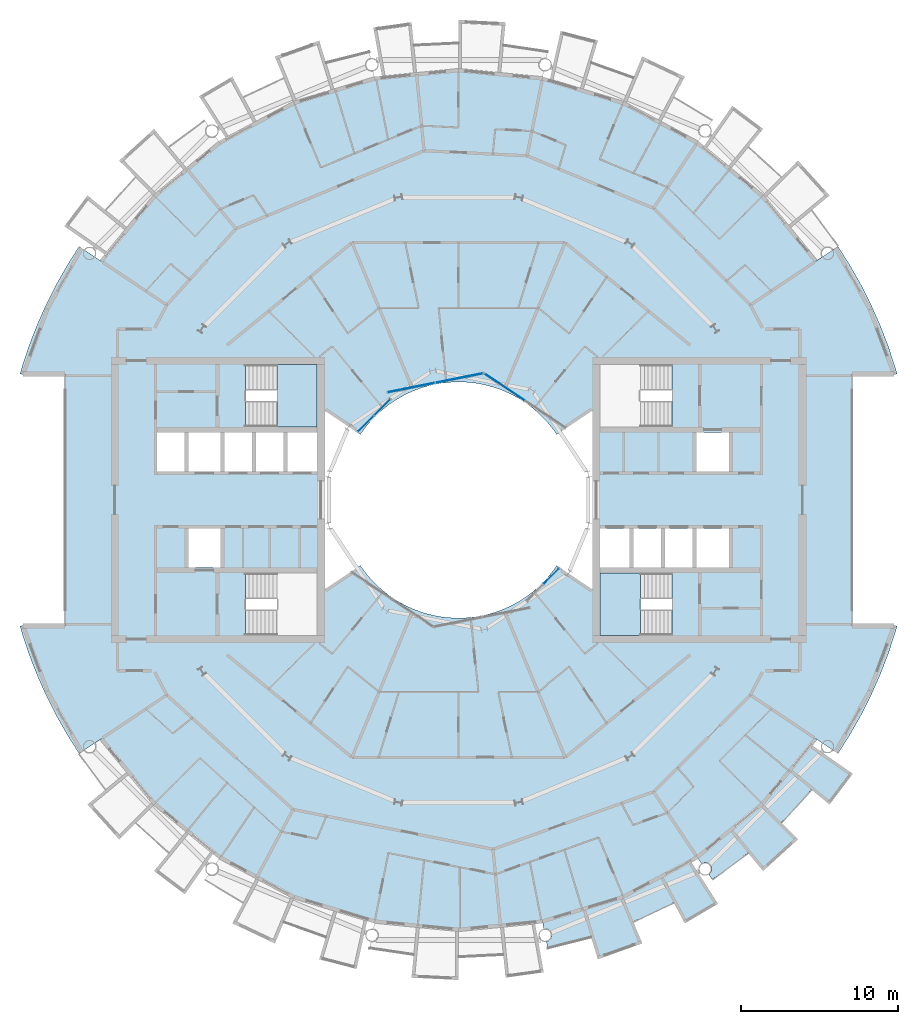
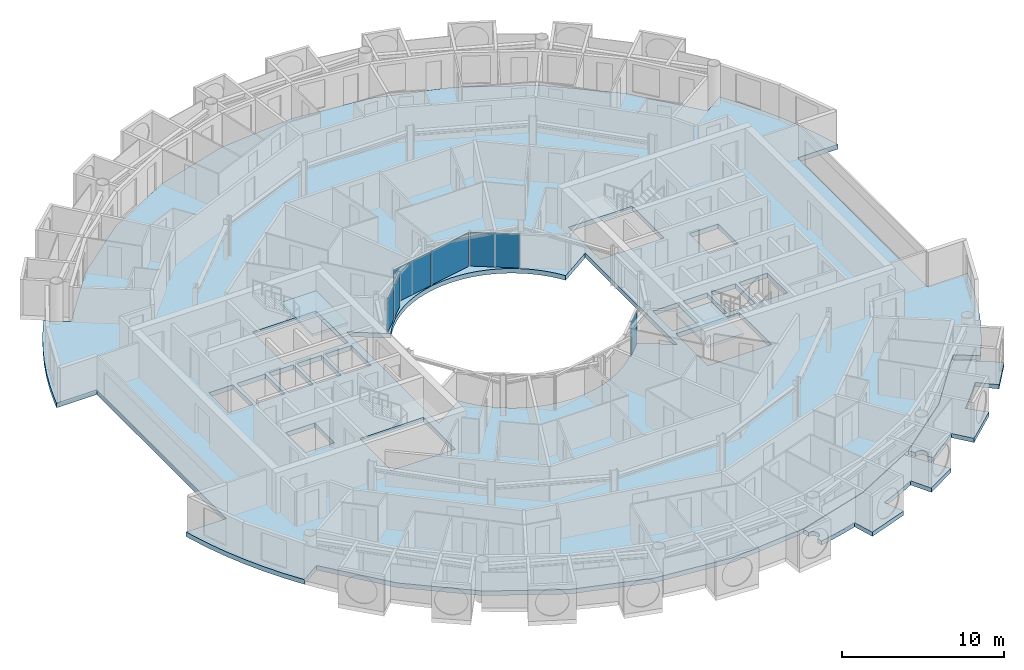
# One storey, part 11 of 26: 6 plates, 5 slabs, 6 elements without a shape of their own.
"""IFC4 building model written with IfcOpenShell, lengths in metres."""

from ifc_helpers import new_model, si_unit, direction, frame, origin, origin_2d, place, context, subcontext, project, spatial, polyline, rectangle, outline, extrude, material, layer, layer_set, type_object, element, aggregate, save


model = new_model("IFC4")

# Units and contexts
model_context = context("Model", 3, precision=1e-05, world=origin(), true_north=direction((0.0, 1.0)))
body_context = subcontext(model_context, "Body", "Model", "MODEL_VIEW")
ifc_project = project(units=[si_unit("LENGTHUNIT", "METRE"), si_unit("AREAUNIT", "SQUARE_METRE"), si_unit("VOLUMEUNIT", "CUBIC_METRE"), si_unit("PLANEANGLEUNIT", "RADIAN"), si_unit("MASSUNIT", "GRAM", prefix="KILO")], contexts=[model_context])

# Site, building, storey
site_placement = place(None, origin())
site = spatial("IfcSite", under=ifc_project, at=site_placement, CompositionType="ELEMENT")
building_placement = place(site_placement, origin())
building = spatial("IfcBuilding", under=site, at=building_placement, Name="Maasbend Ring Residences", CompositionType="ELEMENT")
storey_placement = place(building_placement, frame((0.0, 0.0, 176.85009765625)))
storey = spatial("IfcBuildingStorey", under=building, at=storey_placement, Name="L51", CompositionType="ELEMENT", Elevation=176.85009765625)

# Stair, slab
ifc_material_1 = material(Name="Concrete C40/50", Category="concrete")
stair_type = type_object("IfcStairType", Name="CORE STAIR 18 RISERS", PredefinedType="HALF_TURN_STAIR", material=ifc_material_1)
stair_1_placement = place(storey_placement, origin())
stair_1 = element("IfcStair", 1, at=stair_1_placement, inside=storey, type_object=stair_type, Name="L51 Exit stair ST-E2", PredefinedType="HALF_TURN_STAIR")
ifc_material_2 = material(Name="Concrete C40/50", Category="concrete")
ifc_layer_1 = layer(ifc_material_2, 0.199951171875)
ifc_layer_set_1 = layer_set([ifc_layer_1], Name="Concrete C40/50")
slab_type_1 = type_object("IfcSlabType", Name="CORE STAIR LANDING 200", PredefinedType="LANDING", material=ifc_layer_set_1)
slab_1_placement = place(storey_placement, frame((0.0, 0.0, 1.324951171875)))
slab_1 = element("IfcSlab", 2, at=slab_1_placement, type_object=slab_type_1, Name="ST-E2 landing 1", PredefinedType="LANDING", context=body_context, shape_type="SweptSolid", body=[
    extrude(outline(polyline([(11.550048828125, -4.64990234375), (9.0, -4.64990234375), (9.0, -8.60009765625), (11.550048828125, -8.60009765625), (11.550048828125, -4.64990234375)])), origin(), (0.0, 0.0, 1.0), 0.199951171875),
])
aggregate(stair_1, [slab_1])

stair_2_placement = place(storey_placement, origin())
stair_2 = element("IfcStair", 3, at=stair_2_placement, inside=storey, type_object=stair_type, Name="L51 Exit stair ST-W2", PredefinedType="HALF_TURN_STAIR")
slab_2_placement = place(storey_placement, frame((0.0, 0.0, 1.324951171875)))
slab_2 = element("IfcSlab", 4, at=slab_2_placement, type_object=slab_type_1, Name="ST-W2 landing 1", PredefinedType="LANDING", context=body_context, shape_type="SweptSolid", body=[
    extrude(outline(polyline([(-11.550048828125, 4.64990234375), (-9.0, 4.64990234375), (-9.0, 8.60009765625), (-11.550048828125, 8.60009765625), (-11.550048828125, 4.64990234375)])), origin(), (0.0, 0.0, 1.0), 0.199951171875),
])
aggregate(stair_2, [slab_2])

# Curtain wall, plate
ifc_material_3 = material(Name="Aluminium and clear glass", Category="aluminium")
ifc_layer_2 = layer(ifc_material_3, 0.179931640625)
ifc_layer_set_2 = layer_set([ifc_layer_2], Name="CW-W")
curtain_wall_type = type_object("IfcCurtainWallType", Name="CW-W", PredefinedType="NOTDEFINED", material=ifc_layer_set_2)
curtain_wall_1_placement = place(storey_placement, origin())
curtain_wall_1 = element("IfcCurtainWall", 5, at=curtain_wall_1_placement, inside=storey, type_object=curtain_wall_type, Name="Well curtain wall N1", PredefinedType="NOTDEFINED")
ifc_material_4 = material(Name="Glass clear laminated", Category="glass")
ifc_layer_3 = layer(ifc_material_4, 0.031982421875)
ifc_layer_set_3 = layer_set([ifc_layer_3], Name="CWP-W")
plate_type = type_object("IfcPlateType", Name="CWP-W", PredefinedType="CURTAIN_PANEL", material=ifc_layer_set_3)
plate_1_placement = place(storey_placement, frame((2.922119140625, 7.17578125, 0.0), z_axis=(0.0, 0.0, 1.0), x_axis=(-0.831469612303, 0.55557023302, 0.0)))
plate_1 = element("IfcPlate", 6, at=plate_1_placement, type_object=plate_type, Name="Glass panel well face", PredefinedType="CURTAIN_PANEL", context=body_context, shape_type="SweptSolid", body=[
    extrude(rectangle(XDim=3.053955078125, YDim=0.031982421875, at=origin_2d()), origin(), (0.0, 0.0, 1.0), 2.530029296875),
])
aggregate(curtain_wall_1, [plate_1])

# Curtain wall, plates
curtain_wall_2_placement = place(storey_placement, origin())
curtain_wall_2 = element("IfcCurtainWall", 7, at=curtain_wall_2_placement, inside=storey, type_object=curtain_wall_type, Name="Well curtain wall N2", PredefinedType="NOTDEFINED")
plate_2_placement = place(storey_placement, frame((0.04638671875, 7.747802734375, 0.0), z_axis=(0.0, 0.0, 1.0), x_axis=(-0.980785280403, -0.195090322016, 0.0)))
plate_2 = element("IfcPlate", 8, at=plate_2_placement, type_object=plate_type, Name="Glass panel well face", PredefinedType="CURTAIN_PANEL", context=body_context, shape_type="SweptSolid", body=[
    extrude(rectangle(XDim=3.053955078125, YDim=0.031982421875, at=origin_2d()), origin(), (0.0, 0.0, 1.0), 2.530029296875),
])
plate_3_placement = place(storey_placement, frame((-3.0078125, 7.140380859375, 0.0), z_axis=(0.0, 0.0, 1.0), x_axis=(-0.980785280403, -0.195090322016, 0.0)))
plate_3 = element("IfcPlate", 9, at=plate_3_placement, type_object=plate_type, Name="Glass panel well face", PredefinedType="CURTAIN_PANEL", context=body_context, shape_type="SweptSolid", body=[
    extrude(rectangle(XDim=3.053955078125, YDim=0.031982421875, at=origin_2d()), origin(), (0.0, 0.0, 1.0), 2.530029296875),
])
aggregate(curtain_wall_2, [plate_2, plate_3])

curtain_wall_3_placement = place(storey_placement, origin())
curtain_wall_3 = element("IfcCurtainWall", 10, at=curtain_wall_3_placement, inside=storey, type_object=curtain_wall_type, Name="Well curtain wall N3", PredefinedType="NOTDEFINED")
plate_4_placement = place(storey_placement, frame((-4.84375, 5.89013671875, 0.0), z_axis=(0.0, 0.0, 1.0), x_axis=(-0.707106781187, -0.707106781187, 0.0)))
plate_4 = element("IfcPlate", 11, at=plate_4_placement, type_object=plate_type, Name="Glass panel well face", PredefinedType="CURTAIN_PANEL", context=body_context, shape_type="SweptSolid", body=[
    extrude(rectangle(XDim=1.419677734375, YDim=0.031982421875, at=origin_2d()), origin(), (0.0, 0.0, 1.0), 2.530029296875),
])
plate_5_placement = place(storey_placement, frame((-5.89013671875, 4.84375, 0.0), z_axis=(0.0, 0.0, 1.0), x_axis=(-0.707106781187, -0.707106781187, 0.0)))
plate_5 = element("IfcPlate", 12, at=plate_5_placement, type_object=plate_type, Name="Glass panel well face", PredefinedType="CURTAIN_PANEL", context=body_context, shape_type="SweptSolid", body=[
    extrude(rectangle(XDim=1.419677734375, YDim=0.031982421875, at=origin_2d()), origin(), (0.0, 0.0, 1.0), 2.530029296875),
])
aggregate(curtain_wall_3, [plate_4, plate_5])

# Curtain wall, plate
curtain_wall_4_placement = place(storey_placement, origin())
curtain_wall_4 = element("IfcCurtainWall", 13, at=curtain_wall_4_placement, inside=storey, type_object=curtain_wall_type, Name="Well curtain wall S3", PredefinedType="NOTDEFINED")
plate_6_placement = place(storey_placement, frame((5.89013671875, -4.84375, 0.0), z_axis=(0.0, 0.0, 1.0), x_axis=(0.707106781187, 0.707106781187, 0.0)))
plate_6 = element("IfcPlate", 14, at=plate_6_placement, type_object=plate_type, Name="Glass panel well face", PredefinedType="CURTAIN_PANEL", context=body_context, shape_type="SweptSolid", body=[
    extrude(rectangle(XDim=1.419677734375, YDim=0.031982421875, at=origin_2d()), origin(), (0.0, 0.0, 1.0), 2.530029296875),
])
aggregate(curtain_wall_4, [plate_6])

# Slabs
ifc_material_5 = material(Name="Concrete C40/50", Category="concrete")
ifc_layer_4 = layer(ifc_material_5, 0.35009765625)
ifc_layer_set_4 = layer_set([ifc_layer_4], Name="Concrete C40/50")
slab_type_2 = type_object("IfcSlabType", Name="Post-tensioned flat plate 350", PredefinedType="FLOOR", material=ifc_layer_set_4)
slab_3_placement = place(storey_placement, frame((0.0, 0.0, -0.35009765625)))
element("IfcSlab", 15, at=slab_3_placement, inside=storey, type_object=slab_type_2, Name="Floor slab L51", PredefinedType="FLOOR", context=body_context, shape_type="SweptSolid", body=[
    extrude(outline(polyline([(24.8740234375, -14.908935546875), (25.57568359375, -13.67041015625), (26.2158203125, -12.399169921875), (26.79248046875, -11.097900390625), (27.3046875, -9.769775390625), (27.751220703125, -8.418212890625), (27.866943359375, -8.0), (25.0, -8.0), (25.0, 8.0), (27.866943359375, 8.0), (27.751220703125, 8.418212890625), (27.3046875, 9.769775390625), (26.79248046875, 11.097900390625), (26.2158203125, 12.399169921875), (25.57568359375, 13.67041015625), (24.8740234375, 14.908935546875), (24.112548828125, 16.111572265625), (22.69921875, 15.1669921875), (19.303955078125, 19.303955078125), (15.1669921875, 22.69921875), (10.447265625, 25.221923828125), (5.325927734375, 26.775390625), (0.0, 27.300048828125), (-5.325927734375, 26.775390625), (-10.447265625, 25.221923828125), (-15.1669921875, 22.69921875), (-19.303955078125, 19.303955078125), (-22.69921875, 15.1669921875), (-24.112548828125, 16.111572265625), (-24.8740234375, 14.908935546875), (-25.57568359375, 13.67041015625), (-26.2158203125, 12.399169921875), (-26.79248046875, 11.097900390625), (-27.3046875, 9.769775390625), (-27.751220703125, 8.418212890625), (-27.866943359375, 8.0), (-25.0, 8.0), (-25.0, -8.0), (-27.866943359375, -8.0), (-27.751220703125, -8.418212890625), (-27.3046875, -9.769775390625), (-26.79248046875, -11.097900390625), (-26.2158203125, -12.399169921875), (-25.57568359375, -13.67041015625), (-24.8740234375, -14.908935546875), (-24.112548828125, -16.111572265625), (-22.69921875, -15.1669921875), (-19.303955078125, -19.303955078125), (-15.1669921875, -22.69921875), (-10.447265625, -25.221923828125), (-5.325927734375, -26.775390625), (0.0, -27.300048828125), (5.325927734375, -26.775390625), (10.447265625, -25.221923828125), (15.1669921875, -22.69921875), (19.303955078125, -19.303955078125), (22.69921875, -15.1669921875), (24.112548828125, -16.111572265625), (24.8740234375, -14.908935546875)]), holes=[polyline([(15.125, 1.824951171875), (15.125, 4.27490234375), (17.175048828125, 4.27490234375), (17.175048828125, 1.824951171875), (15.125, 1.824951171875)]), polyline([(15.125, -4.27490234375), (15.125, -1.824951171875), (17.175048828125, -1.824951171875), (17.175048828125, -4.27490234375), (15.125, -4.27490234375)]), polyline([(13.125, -4.27490234375), (13.125, -1.824951171875), (14.875, -1.824951171875), (14.875, -4.27490234375), (13.125, -4.27490234375)]), polyline([(13.550048828125, 8.60009765625), (13.550048828125, 4.64990234375), (9.0, 4.64990234375), (9.0, 8.60009765625), (13.550048828125, 8.60009765625)]), polyline([(13.550048828125, -4.64990234375), (13.550048828125, -8.60009765625), (9.0, -8.60009765625), (9.0, -4.64990234375), (13.550048828125, -4.64990234375)]), polyline([(11.125, -4.27490234375), (11.125, -1.824951171875), (12.875, -1.824951171875), (12.875, -4.27490234375), (11.125, -4.27490234375)]), polyline([(9.0, -4.27490234375), (9.0, -1.824951171875), (10.875, -1.824951171875), (10.875, -4.27490234375), (9.0, -4.27490234375)]), polyline([(6.024169921875, 4.4677734375), (6.236083984375, 4.166748046875), (8.5, 5.679443359375), (8.5, -5.679443359375), (6.236083984375, -4.166748046875), (6.024169921875, -4.4677734375), (5.797607421875, -4.7578125), (5.55712890625, -5.03662109375), (5.30322265625, -5.30322265625), (5.03662109375, -5.55712890625), (4.7578125, -5.797607421875), (4.4677734375, -6.024169921875), (4.166748046875, -6.236083984375), (3.855712890625, -6.43310546875), (3.535400390625, -6.614501953125), (3.206787109375, -6.77978515625), (2.8701171875, -6.92919921875), (2.526611328125, -7.0615234375), (2.177001953125, -7.177001953125), (1.822509765625, -7.275146484375), (1.463134765625, -7.35595703125), (1.1005859375, -7.418701171875), (0.735107421875, -7.4638671875), (0.367919921875, -7.490966796875), (0.0, -7.5), (-0.367919921875, -7.490966796875), (-0.735107421875, -7.4638671875), (-1.1005859375, -7.418701171875), (-1.463134765625, -7.35595703125), (-1.822509765625, -7.275146484375), (-2.177001953125, -7.177001953125), (-2.526611328125, -7.0615234375), (-2.8701171875, -6.92919921875), (-3.206787109375, -6.77978515625), (-3.535400390625, -6.614501953125), (-3.855712890625, -6.43310546875), (-4.166748046875, -6.236083984375), (-4.4677734375, -6.024169921875), (-4.7578125, -5.797607421875), (-5.03662109375, -5.55712890625), (-5.30322265625, -5.30322265625), (-5.55712890625, -5.03662109375), (-5.797607421875, -4.7578125), (-6.024169921875, -4.4677734375), (-6.236083984375, -4.166748046875), (-8.5, -5.679443359375), (-8.5, 5.679443359375), (-6.236083984375, 4.166748046875), (-6.024169921875, 4.4677734375), (-5.797607421875, 4.7578125), (-5.55712890625, 5.03662109375), (-5.30322265625, 5.30322265625), (-5.03662109375, 5.55712890625), (-4.7578125, 5.797607421875), (-4.4677734375, 6.024169921875), (-4.166748046875, 6.236083984375), (-3.855712890625, 6.43310546875), (-3.535400390625, 6.614501953125), (-3.206787109375, 6.77978515625), (-2.8701171875, 6.92919921875), (-2.526611328125, 7.0615234375), (-2.177001953125, 7.177001953125), (-1.822509765625, 7.275146484375), (-1.463134765625, 7.35595703125), (-1.1005859375, 7.418701171875), (-0.735107421875, 7.4638671875), (-0.367919921875, 7.490966796875), (0.0, 7.5), (0.367919921875, 7.490966796875), (0.735107421875, 7.4638671875), (1.1005859375, 7.418701171875), (1.463134765625, 7.35595703125), (1.822509765625, 7.275146484375), (2.177001953125, 7.177001953125), (2.526611328125, 7.0615234375), (2.8701171875, 6.92919921875), (3.206787109375, 6.77978515625), (3.535400390625, 6.614501953125), (3.855712890625, 6.43310546875), (4.166748046875, 6.236083984375), (4.4677734375, 6.024169921875), (4.7578125, 5.797607421875), (5.03662109375, 5.55712890625), (5.30322265625, 5.30322265625), (5.55712890625, 5.03662109375), (5.797607421875, 4.7578125), (6.024169921875, 4.4677734375)]), polyline([(-13.550048828125, 4.64990234375), (-13.550048828125, 8.60009765625), (-9.0, 8.60009765625), (-9.0, 4.64990234375), (-13.550048828125, 4.64990234375)]), polyline([(-9.0, -8.60009765625), (-13.550048828125, -8.60009765625), (-13.550048828125, -4.64990234375), (-9.0, -4.64990234375), (-9.0, -8.60009765625)]), polyline([(-9.0, 4.27490234375), (-9.0, 1.824951171875), (-10.875, 1.824951171875), (-10.875, 4.27490234375), (-9.0, 4.27490234375)]), polyline([(-11.125, 4.27490234375), (-11.125, 1.824951171875), (-12.875, 1.824951171875), (-12.875, 4.27490234375), (-11.125, 4.27490234375)]), polyline([(-13.125, 4.27490234375), (-13.125, 1.824951171875), (-14.875, 1.824951171875), (-14.875, 4.27490234375), (-13.125, 4.27490234375)]), polyline([(-15.125, 4.27490234375), (-15.125, 1.824951171875), (-17.175048828125, 1.824951171875), (-17.175048828125, 4.27490234375), (-15.125, 4.27490234375)]), polyline([(-15.125, -1.824951171875), (-15.125, -4.27490234375), (-17.175048828125, -4.27490234375), (-17.175048828125, -1.824951171875), (-15.125, -1.824951171875)]), polyline([(-17.425048828125, 4.27490234375), (-17.425048828125, 1.824951171875), (-19.14990234375, 1.824951171875), (-19.14990234375, 4.27490234375), (-17.425048828125, 4.27490234375)])]), origin(), (0.0, 0.0, 1.0), 0.35009765625),
])
ifc_material_6 = material(Name="Concrete C40/50", Category="concrete")
ifc_layer_5 = layer(ifc_material_6, 0.199951171875)
ifc_layer_set_5 = layer_set([ifc_layer_5], Name="Concrete C40/50")
slab_type_3 = type_object("IfcSlabType", Name="SL-LOGGIA", PredefinedType="FLOOR", material=ifc_layer_set_5)
slab_4_placement = place(storey_placement, frame((0.0, 0.0, -0.35009765625)))
element("IfcSlab", 16, at=slab_4_placement, inside=storey, type_object=slab_type_3, Name="Loggia floor 2", PredefinedType="FLOOR", context=body_context, shape_type="SweptSolid", body=[
    extrude(outline(polyline([(10.447021484375, -25.221923828125), (12.806884765625, -23.9609375), (14.73291015625, -22.930908203125), (14.73291015625, -22.930908203125), (14.73291015625, -22.930908203125), (16.487060546875, -25.659912109375), (16.487060546875, -25.659912109375), (16.487060546875, -25.659912109375), (14.3779296875, -26.89892578125), (14.3779296875, -26.89892578125), (14.3779296875, -26.89892578125), (13.6708984375, -25.575927734375), (13.6708984375, -25.575927734375), (13.6708984375, -25.575927734375), (13.6708984375, -25.575927734375), (13.6708984375, -25.575927734375), (13.6708984375, -25.575927734375), (13.6708984375, -25.575927734375), (13.669921875, -25.575927734375), (13.669921875, -25.575927734375), (13.669921875, -25.575927734375), (13.669921875, -25.575927734375), (13.669921875, -25.575927734375), (13.669921875, -25.575927734375), (13.669921875, -25.575927734375), (13.669921875, -25.575927734375), (13.669921875, -25.575927734375), (13.669921875, -25.575927734375), (12.825927734375, -26.009033203125), (12.825927734375, -26.009033203125), (11.968994140625, -26.4150390625), (11.968994140625, -26.4150390625), (11.097900390625, -26.7919921875), (11.097900390625, -26.7919921875), (11.097900390625, -26.7919921875), (11.097900390625, -26.7919921875), (11.097900390625, -26.7919921875), (11.097900390625, -26.7919921875), (11.097900390625, -26.7919921875), (11.097900390625, -26.79296875), (11.097900390625, -26.79296875), (11.097900390625, -26.79296875), (11.097900390625, -26.79296875), (11.097900390625, -26.79296875), (11.097900390625, -26.79296875), (11.097900390625, -26.79296875), (11.097900390625, -26.79296875), (11.097900390625, -26.79296875), (11.097900390625, -26.79296875), (11.672119140625, -28.177978515625), (11.672119140625, -28.177978515625), (11.672119140625, -28.177978515625), (8.85400390625, -29.18701171875), (8.85400390625, -29.18701171875), (8.85400390625, -29.18701171875), (8.41796875, -27.751953125), (8.41796875, -27.751953125), (8.41796875, -27.751953125), (8.41796875, -27.751953125), (8.41796875, -27.751953125), (8.41796875, -27.751953125), (8.41796875, -27.751953125), (8.41796875, -27.7509765625), (8.41796875, -27.7509765625), (8.41796875, -27.7509765625), (8.41796875, -27.7509765625), (8.41796875, -27.7509765625), (8.41796875, -27.7509765625), (8.41796875, -27.7509765625), (8.41796875, -27.7509765625), (8.41796875, -27.7509765625), (8.41796875, -27.7509765625), (7.506103515625, -28.011962890625), (7.506103515625, -28.011962890625), (6.5849609375, -28.241943359375), (6.5849609375, -28.241943359375), (5.657958984375, -28.443115234375), (5.657958984375, -28.443115234375), (5.657958984375, -28.443115234375), (5.5810546875, -28.056884765625), (5.591064453125, -28.054931640625), (5.60009765625, -28.052001953125), (5.610107421875, -28.050048828125), (5.6201171875, -28.047119140625), (5.62890625, -28.0439453125), (5.637939453125, -28.041015625), (5.64794921875, -28.037109375), (5.656982421875, -28.033935546875), (5.666015625, -28.030029296875), (5.675048828125, -28.02587890625), (5.68408203125, -28.02099609375), (5.693115234375, -28.01708984375), (5.701904296875, -28.011962890625), (5.7099609375, -28.007080078125), (5.718994140625, -28.001953125), (5.72705078125, -27.99609375), (5.736083984375, -27.989990234375), (5.743896484375, -27.985107421875), (5.751953125, -27.97900390625), (5.759033203125, -27.971923828125), (5.76708984375, -27.966064453125), (5.77392578125, -27.958984375), (5.781982421875, -27.952880859375), (5.7890625, -27.946044921875), (5.7958984375, -27.93798828125), (5.802978515625, -27.930908203125), (5.80908203125, -27.924072265625), (5.81591796875, -27.916015625), (5.822021484375, -27.907958984375), (5.827880859375, -27.89990234375), (5.833984375, -27.89208984375), (5.839111328125, -27.884033203125), (5.844970703125, -27.8759765625), (5.85009765625, -27.866943359375), (5.85498046875, -27.85791015625), (5.860107421875, -27.85009765625), (5.864990234375, -27.841064453125), (5.868896484375, -27.83203125), (5.873046875, -27.822998046875), (5.876953125, -27.81396484375), (5.881103515625, -27.803955078125), (5.884033203125, -27.794921875), (5.886962890625, -27.785888671875), (5.889892578125, -27.77587890625), (5.89306640625, -27.76708984375), (5.89599609375, -27.757080078125), (5.89794921875, -27.7470703125), (5.89990234375, -27.737060546875), (5.902099609375, -27.72802734375), (5.904052734375, -27.718017578125), (5.905029296875, -27.7080078125), (5.906005859375, -27.697998046875), (5.906982421875, -27.68798828125), (5.907958984375, -27.677978515625), (5.907958984375, -27.66796875), (5.907958984375, -27.657958984375), (5.907958984375, -27.64794921875), (5.907958984375, -27.637939453125), (5.906982421875, -27.6279296875), (5.906005859375, -27.617919921875), (5.905029296875, -27.60791015625), (5.904052734375, -27.597900390625), (5.902099609375, -27.589111328125), (5.89990234375, -27.5791015625), (5.89794921875, -27.569091796875), (5.89599609375, -27.55908203125), (5.89306640625, -27.550048828125), (5.889892578125, -27.5400390625), (5.886962890625, -27.531005859375), (5.884033203125, -27.52099609375), (5.881103515625, -27.511962890625), (5.876953125, -27.5029296875), (5.873046875, -27.492919921875), (5.868896484375, -27.48388671875), (5.864990234375, -27.47509765625), (5.860107421875, -27.466064453125), (5.85498046875, -27.4580078125), (5.85009765625, -27.448974609375), (5.844970703125, -27.44091796875), (5.839111328125, -27.431884765625), (5.833984375, -27.424072265625), (5.827880859375, -27.416015625), (5.822021484375, -27.407958984375), (5.81591796875, -27.39990234375), (5.80908203125, -27.39306640625), (5.802978515625, -27.385009765625), (5.7958984375, -27.3779296875), (5.7890625, -27.37109375), (5.781982421875, -27.364013671875), (5.77392578125, -27.35693359375), (5.76708984375, -27.35009765625), (5.759033203125, -27.343994140625), (5.751953125, -27.337890625), (5.743896484375, -27.33203125), (5.736083984375, -27.325927734375), (5.72705078125, -27.320068359375), (5.718994140625, -27.31494140625), (5.7099609375, -27.30908203125), (5.701904296875, -27.303955078125), (5.693115234375, -27.300048828125), (5.68408203125, -27.294921875), (5.675048828125, -27.291015625), (5.666015625, -27.285888671875), (5.656982421875, -27.282958984375), (5.64794921875, -27.279052734375), (5.637939453125, -27.27490234375), (5.62890625, -27.27197265625), (5.6201171875, -27.26904296875), (5.610107421875, -27.26611328125), (5.60009765625, -27.263916015625), (5.591064453125, -27.260986328125), (5.5810546875, -27.259033203125), (5.571044921875, -27.258056640625), (5.56103515625, -27.256103515625), (5.551025390625, -27.2548828125), (5.541015625, -27.25390625), (5.531005859375, -27.2529296875), (5.52099609375, -27.251953125), (5.510986328125, -27.251953125), (5.501953125, -27.251953125), (5.491943359375, -27.251953125), (5.48193359375, -27.251953125), (5.471923828125, -27.2529296875), (5.4619140625, -27.25390625), (5.451904296875, -27.2548828125), (5.44189453125, -27.256103515625), (5.431884765625, -27.258056640625), (5.422119140625, -27.259033203125), (5.325927734375, -26.77490234375), (5.325927734375, -26.77490234375), (5.325927734375, -26.77490234375), (7.886962890625, -25.9990234375), (10.447021484375, -25.221923828125), (10.447021484375, -25.221923828125), (10.447021484375, -25.221923828125)])), origin(), (0.0, 0.0, 1.0), 0.320068359375),
])
slab_5_placement = place(storey_placement, frame((0.0, 0.0, -0.35009765625)))
element("IfcSlab", 17, at=slab_5_placement, inside=storey, type_object=slab_type_3, Name="Loggia floor 5", PredefinedType="FLOOR", context=body_context, shape_type="SweptSolid", body=[
    extrude(outline(polyline([(19.303955078125, -19.303955078125), (21.001953125, -17.236083984375), (22.386962890625, -15.547119140625), (22.386962890625, -15.547119140625), (22.386962890625, -15.547119140625), (25.051025390625, -17.39794921875), (25.051025390625, -17.39794921875), (25.051025390625, -17.39794921875), (23.576904296875, -19.34912109375), (23.576904296875, -19.34912109375), (23.576904296875, -19.34912109375), (22.41796875, -18.39794921875), (22.41796875, -18.39794921875), (22.41796875, -18.39794921875), (22.41796875, -18.39794921875), (22.41796875, -18.39794921875), (22.4169921875, -18.39794921875), (22.4169921875, -18.39794921875), (22.4169921875, -18.39794921875), (22.4169921875, -18.39794921875), (22.4169921875, -18.39794921875), (22.4169921875, -18.39794921875), (22.4169921875, -18.39794921875), (22.4169921875, -18.39794921875), (22.4169921875, -18.39794921875), (22.4169921875, -18.39794921875), (22.4169921875, -18.39794921875), (22.4169921875, -18.39794921875), (21.802978515625, -19.12109375), (21.802978515625, -19.12109375), (21.166015625, -19.823974609375), (21.166015625, -19.823974609375), (20.506103515625, -20.506103515625), (20.506103515625, -20.506103515625), (20.506103515625, -20.506103515625), (20.506103515625, -20.506103515625), (20.506103515625, -20.506103515625), (20.506103515625, -20.506103515625), (20.506103515625, -20.506103515625), (20.506103515625, -20.506103515625), (20.506103515625, -20.506103515625), (20.506103515625, -20.506103515625), (20.506103515625, -20.506103515625), (20.506103515625, -20.506103515625), (20.506103515625, -20.506103515625), (20.506103515625, -20.506103515625), (20.506103515625, -20.506103515625), (20.506103515625, -20.506103515625), (20.506103515625, -20.506103515625), (21.56689453125, -21.56689453125), (21.56689453125, -21.56689453125), (21.56689453125, -21.56689453125), (19.34912109375, -23.576904296875), (19.34912109375, -23.576904296875), (19.34912109375, -23.576904296875), (18.39794921875, -22.41796875), (18.39794921875, -22.41796875), (18.39794921875, -22.41796875), (18.39794921875, -22.41796875), (18.39794921875, -22.41796875), (18.39794921875, -22.41796875), (18.39697265625, -22.41796875), (18.39697265625, -22.41796875), (18.39697265625, -22.41796875), (18.39697265625, -22.41796875), (18.39697265625, -22.41796875), (18.39697265625, -22.41796875), (18.39697265625, -22.41796875), (18.39697265625, -22.41796875), (18.39697265625, -22.41796875), (18.39697265625, -22.41796875), (18.39697265625, -22.41796875), (17.654052734375, -23.007080078125), (17.654052734375, -23.007080078125), (16.89208984375, -23.572998046875), (16.89208984375, -23.572998046875), (16.112060546875, -24.113037109375), (16.112060546875, -24.113037109375), (16.112060546875, -24.113037109375), (15.89306640625, -23.784912109375), (15.89306640625, -23.784912109375), (15.90087890625, -23.780029296875), (15.908935546875, -23.77392578125), (15.9169921875, -23.76806640625), (15.925048828125, -23.761962890625), (15.93310546875, -23.7548828125), (15.93994140625, -23.7490234375), (15.947021484375, -23.741943359375), (15.955078125, -23.735107421875), (15.9619140625, -23.72802734375), (15.968017578125, -23.719970703125), (15.97509765625, -23.712890625), (15.98095703125, -23.705078125), (15.988037109375, -23.697021484375), (15.993896484375, -23.68994140625), (15.9990234375, -23.680908203125), (16.0048828125, -23.673095703125), (16.010986328125, -23.6650390625), (16.01611328125, -23.656005859375), (16.02099609375, -23.64794921875), (16.02587890625, -23.638916015625), (16.030029296875, -23.6298828125), (16.034912109375, -23.62109375), (16.0390625, -23.612060546875), (16.04296875, -23.60302734375), (16.0458984375, -23.593994140625), (16.050048828125, -23.583984375), (16.052978515625, -23.574951171875), (16.055908203125, -23.56494140625), (16.05908203125, -23.555908203125), (16.06103515625, -23.5458984375), (16.06396484375, -23.535888671875), (16.06591796875, -23.527099609375), (16.068115234375, -23.51708984375), (16.069091796875, -23.507080078125), (16.071044921875, -23.4970703125), (16.072021484375, -23.487060546875), (16.072021484375, -23.47705078125), (16.072998046875, -23.467041015625), (16.072998046875, -23.45703125), (16.073974609375, -23.447021484375), (16.072998046875, -23.43701171875), (16.072998046875, -23.427001953125), (16.072021484375, -23.4169921875), (16.072021484375, -23.407958984375), (16.071044921875, -23.39794921875), (16.069091796875, -23.387939453125), (16.068115234375, -23.3779296875), (16.06591796875, -23.367919921875), (16.06396484375, -23.35791015625), (16.06103515625, -23.34912109375), (16.05908203125, -23.339111328125), (16.055908203125, -23.3291015625), (16.052978515625, -23.320068359375), (16.050048828125, -23.31005859375), (16.0458984375, -23.301025390625), (16.04296875, -23.2919921875), (16.0390625, -23.282958984375), (16.034912109375, -23.27392578125), (16.030029296875, -23.264892578125), (16.02587890625, -23.256103515625), (16.02099609375, -23.2470703125), (16.01611328125, -23.238037109375), (16.010986328125, -23.22998046875), (16.0048828125, -23.221923828125), (15.9990234375, -23.212890625), (15.993896484375, -23.205078125), (15.988037109375, -23.197021484375), (15.98095703125, -23.18994140625), (15.97509765625, -23.181884765625), (15.968017578125, -23.174072265625), (15.9619140625, -23.1669921875), (15.955078125, -23.159912109375), (15.947021484375, -23.153076171875), (15.93994140625, -23.14599609375), (15.93310546875, -23.139892578125), (15.925048828125, -23.133056640625), (15.9169921875, -23.126953125), (15.908935546875, -23.12109375), (15.90087890625, -23.114990234375), (15.89306640625, -23.10888671875), (15.885009765625, -23.10400390625), (15.8759765625, -23.09912109375), (15.866943359375, -23.093994140625), (15.85888671875, -23.089111328125), (15.85009765625, -23.083984375), (15.841064453125, -23.080078125), (15.83203125, -23.075927734375), (15.822998046875, -23.072021484375), (15.81298828125, -23.068115234375), (15.803955078125, -23.06494140625), (15.794921875, -23.06103515625), (15.784912109375, -23.05810546875), (15.77587890625, -23.055908203125), (15.76611328125, -23.052978515625), (15.756103515625, -23.051025390625), (15.74609375, -23.049072265625), (15.737060546875, -23.047119140625), (15.72705078125, -23.044921875), (15.717041015625, -23.0439453125), (15.70703125, -23.04296875), (15.697021484375, -23.0419921875), (15.68701171875, -23.041015625), (15.677001953125, -23.041015625), (15.6669921875, -23.041015625), (15.656982421875, -23.041015625), (15.64697265625, -23.041015625), (15.636962890625, -23.0419921875), (15.626953125, -23.04296875), (15.616943359375, -23.0439453125), (15.60693359375, -23.044921875), (15.597900390625, -23.047119140625), (15.587890625, -23.049072265625), (15.577880859375, -23.051025390625), (15.568115234375, -23.052978515625), (15.55908203125, -23.055908203125), (15.549072265625, -23.05810546875), (15.5400390625, -23.06103515625), (15.530029296875, -23.06494140625), (15.52099609375, -23.068115234375), (15.511962890625, -23.072021484375), (15.501953125, -23.075927734375), (15.492919921875, -23.080078125), (15.48388671875, -23.083984375), (15.47509765625, -23.089111328125), (15.467041015625, -23.093994140625), (15.4580078125, -23.09912109375), (15.449951171875, -23.10400390625), (15.44091796875, -23.10888671875), (15.44091796875, -23.10888671875), (15.1669921875, -22.698974609375), (15.1669921875, -22.698974609375), (15.1669921875, -22.698974609375), (17.236083984375, -21.001953125), (19.303955078125, -19.303955078125), (19.303955078125, -19.303955078125), (19.303955078125, -19.303955078125)])), origin(), (0.0, 0.0, 1.0), 0.320068359375),
])

save(model, "model.ifc")
